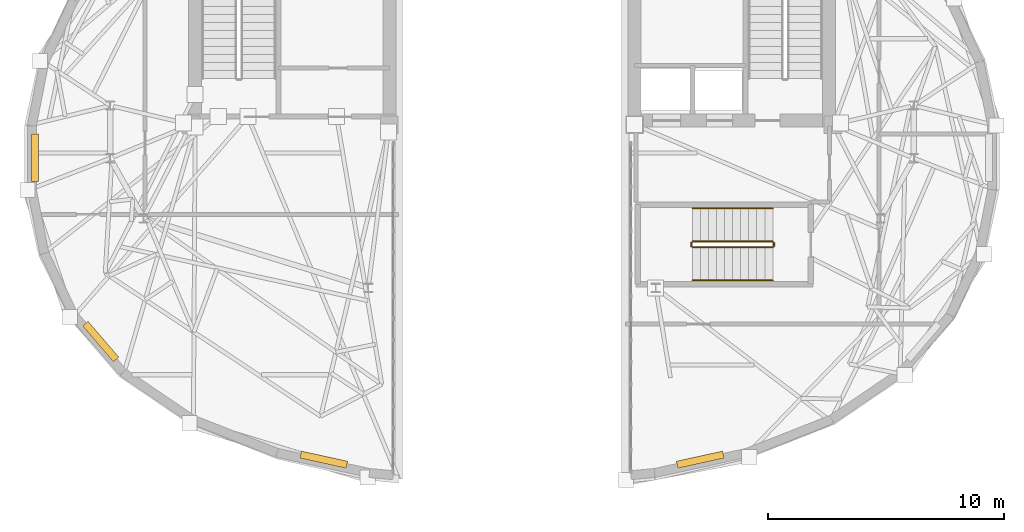
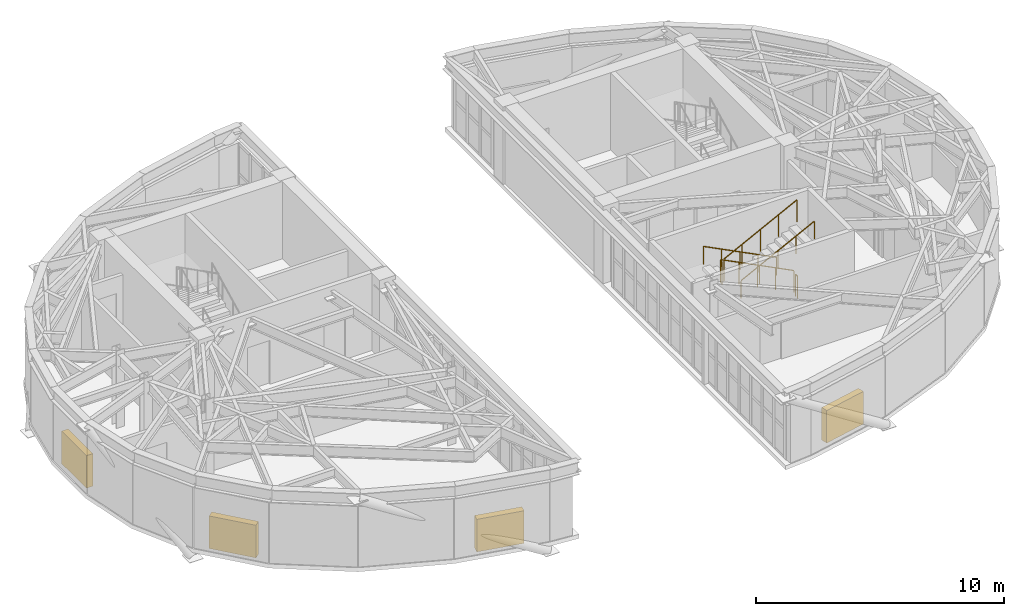
# One storey, part 11 of 13: 6 railings, 4 shading devices.
"""IFC4 building model written with IfcOpenShell, lengths in metres."""

from ifc_helpers import new_model, si_unit, direction, frame, origin, origin_2d, place, context, subcontext, project, spatial, rectangle, circle, extrude, material, type_object, element, save


model = new_model("IFC4")

# Units and contexts
model_context = context("Model", 3, precision=1e-05, world=origin(), true_north=direction((0.0, 1.0)))
body_context = subcontext(model_context, "Body", "Model", "MODEL_VIEW")
ifc_project = project(units=[si_unit("LENGTHUNIT", "METRE"), si_unit("AREAUNIT", "SQUARE_METRE"), si_unit("VOLUMEUNIT", "CUBIC_METRE"), si_unit("PLANEANGLEUNIT", "RADIAN"), si_unit("MASSUNIT", "GRAM", prefix="KILO")], contexts=[model_context])

# Site, building, storey
site_placement = place(None, origin())
site = spatial("IfcSite", under=ifc_project, at=site_placement, CompositionType="ELEMENT")
building_placement = place(site_placement, origin())
building = spatial("IfcBuilding", under=site, at=building_placement, Name="Keldmark Tower", CompositionType="ELEMENT")
storey_placement = place(building_placement, frame((0.0, 0.0, 273.0)))
storey = spatial("IfcBuildingStorey", under=building, at=storey_placement, Name="L77", CompositionType="ELEMENT", Elevation=273.0)

# Shading devices
ifc_material_1 = material(Name="Fluoropolymer-Coated Extruded Aluminum Stormproof Blades", Category="aluminium")
shading_device_type = type_object("IfcShadingDeviceType", Name="Mechanical Floor Acoustic Intake Louvre", PredefinedType="JALOUSIE", material=ifc_material_1)
for number, where, z_axis, x_axis, name in (
    (1, (7.97412109375, -12.7958984375, 0.0), (0.0, 0.0, 1.0), (0.976889152515, 0.213746540788, 0.0), "L77 Crown Screen Acoustic Louvre E13"),
    (2, (-7.97412109375, -12.7958984375, 0.0), (0.0, 0.0, 1.0), (0.976889152515, -0.213746540788, 0.0), "L77 Crown Screen Acoustic Louvre W01"),
    (3, (-17.42578125, -7.79248046875, 0.0), (0.0, 0.0, 1.0), (0.650800720438, -0.759248590567, 0.0), "L77 Crown Screen Acoustic Louvre W04"),
    (4, (-20.20556640625, 0.0, 0.0), (0.0, 0.0, 1.0), (0.0, -1.0, 0.0), "L77 Crown Screen Acoustic Louvre W07"),
):
    element("IfcShadingDevice", number, at=place(storey_placement, frame(where, z_axis=z_axis, x_axis=x_axis)), inside=storey, type_object=shading_device_type, Name=name, PredefinedType="JALOUSIE", context=body_context, shape_type="SweptSolid", body=[
        extrude(rectangle(XDim=2.0, YDim=0.300048828125, at=origin_2d()), origin(), (0.0, 0.0, 1.0), 1.60009765625),
    ])

# Railings
ifc_material_2 = material(Name="Painted Steel ASTM A500 Grade B", Category="steel")
railing_type_1 = type_object("IfcRailingType", Name="Painted Steel Stair Well Guard 1100 mm", PredefinedType="GUARDRAIL", material=ifc_material_2)
railing_1_placement = place(storey_placement, frame((11.050048828125, -3.550048828125, 0.172607421875)))
element("IfcRailing", 5, at=railing_1_placement, inside=storey, type_object=railing_type_1, Name="L77 ST4 stair guard 1", PredefinedType="GUARDRAIL", context=body_context, shape_type="SweptSolid", body=[
    extrude(circle(Radius=0.02392578125, at=origin_2d()), frame((0.0, 0.0, 1.076171875), z_axis=(-0.891553839763, 0.0, 0.452914727962), x_axis=(0.0, -1.0, 0.0)), (0.0, 0.0, 1.0), 3.813720703125),
    extrude(circle(Radius=0.02099609375, at=origin_2d()), origin(), (0.0, 0.0, 1.0), 1.052001953125),
    extrude(circle(Radius=0.02099609375, at=origin_2d()), frame((-0.85009765625, 0.0, 0.431884765625)), (0.0, 0.0, 1.0), 1.052001953125),
    extrude(circle(Radius=0.02099609375, at=origin_2d()), frame((-1.7001953125, 0.0, 0.86376953125)), (0.0, 0.0, 1.0), 1.052001953125),
    extrude(circle(Radius=0.02099609375, at=origin_2d()), frame((-2.550048828125, 0.0, 1.29541015625)), (0.0, 0.0, 1.0), 1.052001953125),
    extrude(circle(Radius=0.02099609375, at=origin_2d()), frame((-3.400146484375, 0.0, 1.727294921875)), (0.0, 0.0, 1.0), 1.052001953125),
])
railing_2_placement = place(storey_placement, frame((7.60009765625, -3.60009765625, 1.89990234375)))
element("IfcRailing", 6, at=railing_2_placement, inside=storey, type_object=railing_type_1, Name="L77 ST4 stair guard 2", PredefinedType="GUARDRAIL", context=body_context, shape_type="SweptSolid", body=[
    extrude(circle(Radius=0.02392578125, at=origin_2d()), frame((0.0, 0.0, 1.076171875), z_axis=(0.0, -1.0, 0.0), x_axis=(1.0, 0.0, 0.0)), (0.0, 0.0, 1.0), 0.14990234375),
    extrude(circle(Radius=0.02099609375, at=origin_2d()), origin(), (0.0, 0.0, 1.0), 1.052001953125),
    extrude(circle(Radius=0.02099609375, at=origin_2d()), frame((0.0, -0.14990234375, 0.0)), (0.0, 0.0, 1.0), 1.052001953125),
])
railing_3_placement = place(storey_placement, frame((7.64990234375, -3.800048828125, 2.07275390625)))
element("IfcRailing", 7, at=railing_3_placement, inside=storey, type_object=railing_type_1, Name="L77 ST4 stair guard 3", PredefinedType="GUARDRAIL", context=body_context, shape_type="SweptSolid", body=[
    extrude(circle(Radius=0.02392578125, at=origin_2d()), frame((0.0, 0.0, 1.076171875), z_axis=(0.891553839763, 0.0, 0.452914727962), x_axis=(0.0, 1.0, 0.0)), (0.0, 0.0, 1.0), 3.813720703125),
    extrude(circle(Radius=0.02099609375, at=origin_2d()), origin(), (0.0, 0.0, 1.0), 1.052001953125),
    extrude(circle(Radius=0.02099609375, at=origin_2d()), frame((0.85009765625, 0.0, 0.431884765625)), (0.0, 0.0, 1.0), 1.052001953125),
    extrude(circle(Radius=0.02099609375, at=origin_2d()), frame((1.7001953125, 0.0, 0.86376953125)), (0.0, 0.0, 1.0), 1.052001953125),
    extrude(circle(Radius=0.02099609375, at=origin_2d()), frame((2.550048828125, 0.0, 1.29541015625)), (0.0, 0.0, 1.0), 1.052001953125),
    extrude(circle(Radius=0.02099609375, at=origin_2d()), frame((3.400146484375, 0.0, 1.727294921875)), (0.0, 0.0, 1.0), 1.052001953125),
])
railing_4_placement = place(storey_placement, frame((11.10009765625, -3.60009765625, 0.0)))
element("IfcRailing", 8, at=railing_4_placement, inside=storey, type_object=railing_type_1, Name="L77 ST4 stair guard 4", PredefinedType="GUARDRAIL", context=body_context, shape_type="SweptSolid", body=[
    extrude(circle(Radius=0.02392578125, at=origin_2d()), frame((0.0, 0.0, 1.076171875), z_axis=(0.0, -1.0, 0.0), x_axis=(1.0, 0.0, 0.0)), (0.0, 0.0, 1.0), 0.14990234375),
    extrude(circle(Radius=0.02099609375, at=origin_2d()), origin(), (0.0, 0.0, 1.0), 1.052001953125),
    extrude(circle(Radius=0.02099609375, at=origin_2d()), frame((0.0, -0.14990234375, 0.0)), (0.0, 0.0, 1.0), 1.052001953125),
])
ifc_material_3 = material(Name="Stainless Steel AISI 316L", Category="steel")
railing_type_2 = type_object("IfcRailingType", Name="Stainless Steel Stair Handrail 900 mm", PredefinedType="HANDRAIL", material=ifc_material_3)
railing_5_placement = place(storey_placement, frame((11.050048828125, -2.14990234375, 0.172607421875)))
element("IfcRailing", 9, at=railing_5_placement, inside=storey, type_object=railing_type_2, Name="L77 ST4 stair handrail 1", PredefinedType="HANDRAIL", context=body_context, shape_type="SweptSolid", body=[
    extrude(circle(Radius=0.02392578125, at=origin_2d()), frame((0.0, 0.0, 0.8759765625), z_axis=(-0.891553839763, 0.0, 0.452914727962), x_axis=(0.0, -1.0, 0.0)), (0.0, 0.0, 1.0), 3.813720703125),
    extrude(circle(Radius=0.02099609375, at=origin_2d()), origin(), (0.0, 0.0, 1.0), 0.851806640625),
    extrude(circle(Radius=0.02099609375, at=origin_2d()), frame((-0.85009765625, 0.0, 0.431884765625)), (0.0, 0.0, 1.0), 0.851806640625),
    extrude(circle(Radius=0.02099609375, at=origin_2d()), frame((-1.7001953125, 0.0, 0.86376953125)), (0.0, 0.0, 1.0), 0.851806640625),
    extrude(circle(Radius=0.02099609375, at=origin_2d()), frame((-2.550048828125, 0.0, 1.29541015625)), (0.0, 0.0, 1.0), 0.851806640625),
    extrude(circle(Radius=0.02099609375, at=origin_2d()), frame((-3.400146484375, 0.0, 1.727294921875)), (0.0, 0.0, 1.0), 0.851806640625),
])
railing_6_placement = place(storey_placement, frame((7.64990234375, -5.199951171875, 2.07275390625)))
element("IfcRailing", 10, at=railing_6_placement, inside=storey, type_object=railing_type_2, Name="L77 ST4 stair handrail 2", PredefinedType="HANDRAIL", context=body_context, shape_type="SweptSolid", body=[
    extrude(circle(Radius=0.02392578125, at=origin_2d()), frame((0.0, 0.0, 0.8759765625), z_axis=(0.891553839763, 0.0, 0.452914727962), x_axis=(0.0, 1.0, 0.0)), (0.0, 0.0, 1.0), 3.813720703125),
    extrude(circle(Radius=0.02099609375, at=origin_2d()), origin(), (0.0, 0.0, 1.0), 0.851806640625),
    extrude(circle(Radius=0.02099609375, at=origin_2d()), frame((0.85009765625, 0.0, 0.431884765625)), (0.0, 0.0, 1.0), 0.851806640625),
    extrude(circle(Radius=0.02099609375, at=origin_2d()), frame((1.7001953125, 0.0, 0.86376953125)), (0.0, 0.0, 1.0), 0.851806640625),
    extrude(circle(Radius=0.02099609375, at=origin_2d()), frame((2.550048828125, 0.0, 1.29541015625)), (0.0, 0.0, 1.0), 0.851806640625),
    extrude(circle(Radius=0.02099609375, at=origin_2d()), frame((3.400146484375, 0.0, 1.727294921875)), (0.0, 0.0, 1.0), 0.851806640625),
])

save(model, "model.ifc")
